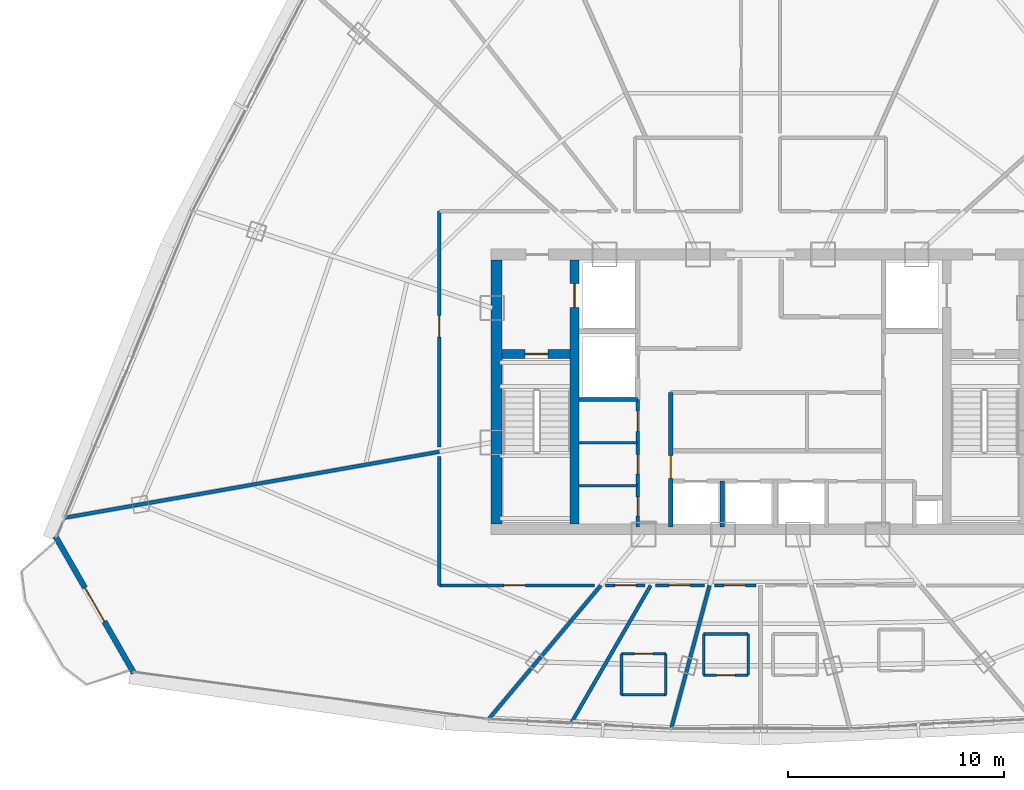
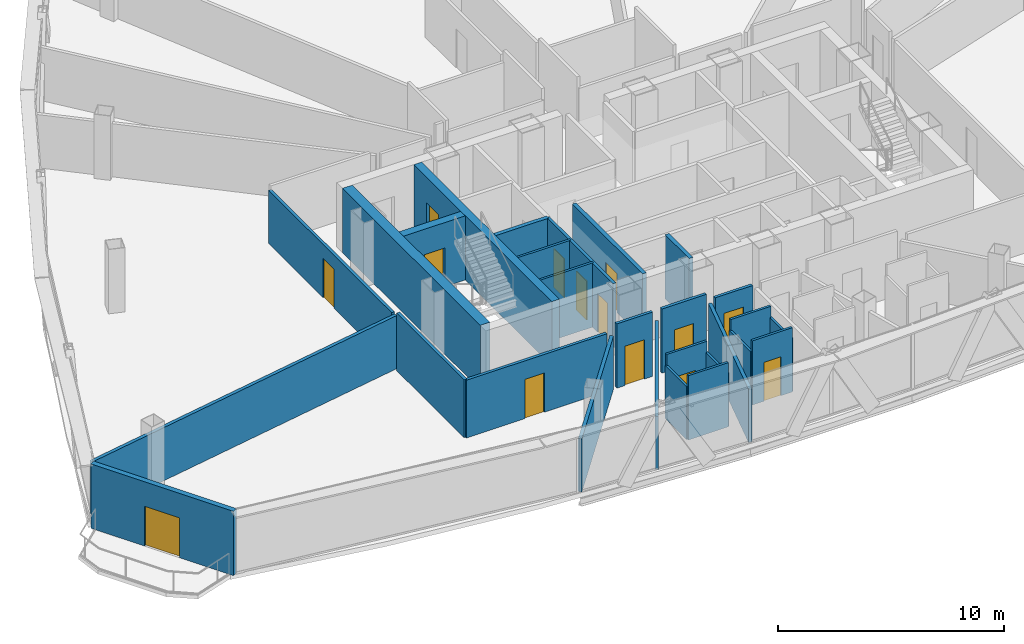
# One storey, part 31 of 37: 28 walls, 14 doors, 14 openings.
"""IFC4 building model written with IfcOpenShell, lengths in metres."""

from ifc_helpers import new_model, si_unit, direction, frame, frame_2d, origin, origin_with_axes, place, context, subcontext, project, spatial, rectangle, extrude, source, transform, mapped, material, layer, layer_set, type_object, element, fill, save


model = new_model("IFC4")

# Units and contexts
model_context = context("Model", 3, precision=1e-05, world=origin(), true_north=direction((0.0, 1.0)))
body_context = subcontext(model_context, "Body", "Model", "MODEL_VIEW")
ifc_project = project(units=[si_unit("LENGTHUNIT", "METRE"), si_unit("AREAUNIT", "SQUARE_METRE"), si_unit("VOLUMEUNIT", "CUBIC_METRE"), si_unit("PLANEANGLEUNIT", "RADIAN"), si_unit("MASSUNIT", "GRAM", prefix="KILO"), si_unit("THERMODYNAMICTEMPERATUREUNIT", "KELVIN"), si_unit("POWERUNIT", "WATT")], contexts=[model_context])

# Site, building, storey
site_placement = place(None, origin())
site = spatial("IfcSite", under=ifc_project, at=site_placement, CompositionType="ELEMENT")
building_placement = place(site_placement, origin())
building = spatial("IfcBuilding", under=site, at=building_placement, Name="Yunzhuo Pagoda Commons", CompositionType="ELEMENT")
storey_placement = place(building_placement, frame((0.0, 0.0, 277.56005859375)))
storey = spatial("IfcBuildingStorey", under=building, at=storey_placement, Name="L69", CompositionType="ELEMENT", Elevation=277.56005859375)

# Wall, opening, door
ifc_material_1 = material(Name="Precast concrete C40", Category="concrete")
ifc_layer_1 = layer(ifc_material_1, 0.260009765625)
ifc_layer_set_1 = layer_set([ifc_layer_1], Name="Precast concrete C40")
wall_type_1 = type_object("IfcWallType", Name="W-BAL1 Corner Balcony Threshold Wall 260", PredefinedType="STANDARD", material=ifc_layer_set_1)
wall_1_placement = place(storey_placement, frame((15.402099609375, 27.174072265625, 0.0), z_axis=(0.0, 0.0, 1.0), x_axis=(0.497929527106, -0.867217496385, 0.0)))
wall_1 = element("IfcWall", 1, at=wall_1_placement, inside=storey, type_object=wall_type_1, Name="L69 corner balcony wall V1", PredefinedType="STANDARD", context=body_context, shape_type="SweptSolid", body=[
    extrude(rectangle(XDim=7.29345703125, YDim=0.260009765625, at=frame_2d((3.646728515625, 0.0))), origin(), (0.0, 0.0, 1.0), 3.469970703125),
])
opening_1_placement = place(wall_1_placement, frame((2.74658203125, 0.0, 0.0)))
opening_1 = element("IfcOpeningElement", 2, at=opening_1_placement, cuts=wall_1, Name="Opening D-BAL1", PredefinedType="OPENING", context=body_context, shape_type="SweptSolid", body=[
    extrude(rectangle(XDim=1.800048828125, YDim=2.14990234375, at=frame_2d((0.89990234375, 1.074951171875))), frame((0.0, 0.14013671875, 0.0), z_axis=(0.0, -1.0, 0.0), x_axis=(1.0, 0.0, 0.0)), (0.0, 0.0, 1.0), 0.280029296875),
])
ifc_material_2 = material(Name="Anodized aluminium frame and tempered glazed leaf", Category="aluminium")
door_type_1 = type_object("IfcDoorType", Name="D-BAL1 Corner Balcony Sliding Glazed Door 1800x2150", OperationType="DOUBLE_DOOR_SLIDING", PredefinedType="DOOR", material=ifc_material_2)
shared_shape_1 = source(origin(), body_context, "Body", "SweptSolid", [
    extrude(rectangle(XDim=1.800048828125, YDim=2.14990234375, at=frame_2d((0.89990234375, 1.074951171875))), frame((0.0, 0.02490234375, 0.0), z_axis=(0.0, -1.0, 0.0), x_axis=(1.0, 0.0, 0.0)), (0.0, 0.0, 1.0), 0.050048828125),
])
door_1_placement = place(opening_1_placement, origin_with_axes())
door_1 = element("IfcDoor", 3, at=door_1_placement, inside=storey, type_object=door_type_1, Name="L69 corner balcony sliding door V1", OperationType="DOUBLE_DOOR_SLIDING", OverallHeight=2.14990234375, OverallWidth=1.800048828125, PredefinedType="DOOR", context=body_context, shape_type="MappedRepresentation", body=[
    mapped(shared_shape_1, transform((0.0, 0.0, 0.0), scale=1.0)),
])
fill(opening_1, door_1)

# Wall
ifc_material_3 = material(Name="Concrete C50", Category="concrete")
ifc_layer_2 = layer(ifc_material_3, 0.5)
ifc_layer_set_2 = layer_set([ifc_layer_2], Name="Concrete C50")
wall_type_2 = type_object("IfcWallType", Name="W-C03 Upper Core Shear Wall 500", PredefinedType="SHEAR", material=ifc_layer_set_2)
wall_2_placement = place(storey_placement, frame((35.800048828125, 27.75, 0.0), z_axis=(0.0, 0.0, 1.0), x_axis=(0.0, 1.0, 0.0)))
element("IfcWall", 4, at=wall_2_placement, inside=storey, type_object=wall_type_2, Name="L69 core shear wall W", PredefinedType="SHEAR", context=body_context, shape_type="SweptSolid", body=[
    extrude(rectangle(XDim=12.199951171875, YDim=0.5, at=frame_2d((6.10009765625, 0.0))), origin(), (0.0, 0.0, 1.0), 3.469970703125),
])

# Wall, openings, doors
ifc_material_4 = material(Name="Gypsum plasterboard on acoustic stud")
ifc_layer_3 = layer(ifc_material_4, 0.14990234375)
ifc_layer_set_3 = layer_set([ifc_layer_3], Name="Gypsum plasterboard on acoustic stud")
wall_type_3 = type_object("IfcWallType", Name="W-COR3 High-Zone Rated Corridor Wall 150", PredefinedType="PARTITIONING", material=ifc_layer_set_3)
wall_3_placement = place(storey_placement, frame((42.320068359375, 27.60009765625, 0.0), z_axis=(0.0, 0.0, 1.0), x_axis=(0.0, 1.0, 0.0)))
wall_3 = element("IfcWall", 5, at=wall_3_placement, inside=storey, type_object=wall_type_3, Name="L69 interior wall IW-L69-CSWE", PredefinedType="PARTITIONING", context=body_context, shape_type="SweptSolid", body=[
    extrude(rectangle(XDim=5.89990234375, YDim=0.14990234375, at=frame_2d((2.949951171875, 0.0))), origin(), (0.0, 0.0, 1.0), 3.469970703125),
])
opening_2_placement = place(wall_3_placement, frame((0.5, 0.0, 0.0)))
opening_2 = element("IfcOpeningElement", 6, at=opening_2_placement, cuts=wall_3, Name="Opening D-03", PredefinedType="OPENING", context=body_context, shape_type="SweptSolid", body=[
    extrude(rectangle(XDim=0.89990234375, YDim=2.10009765625, at=frame_2d((0.449951171875, 1.050048828125))), frame((0.0, 0.0849609375, 0.0), z_axis=(0.0, -1.0, 0.0), x_axis=(1.0, 0.0, 0.0)), (0.0, 0.0, 1.0), 0.169921875),
])
opening_3_placement = place(wall_3_placement, frame((2.449951171875, 0.0, 0.0)))
opening_3 = element("IfcOpeningElement", 7, at=opening_3_placement, cuts=wall_3, Name="Opening D-03", PredefinedType="OPENING", context=body_context, shape_type="SweptSolid", body=[
    extrude(rectangle(XDim=0.89990234375, YDim=2.10009765625, at=frame_2d((0.449951171875, 1.050048828125))), frame((0.0, 0.0849609375, 0.0), z_axis=(0.0, -1.0, 0.0), x_axis=(1.0, 0.0, 0.0)), (0.0, 0.0, 1.0), 0.169921875),
])
opening_4_placement = place(wall_3_placement, frame((4.419921875, 0.0, 0.0)))
opening_4 = element("IfcOpeningElement", 8, at=opening_4_placement, cuts=wall_3, Name="Opening D-11", PredefinedType="OPENING", context=body_context, shape_type="SweptSolid", body=[
    extrude(rectangle(XDim=0.93994140625, YDim=2.10009765625, at=frame_2d((0.469970703125, 1.050048828125))), frame((0.0, 0.0849609375, 0.0), z_axis=(0.0, -1.0, 0.0), x_axis=(1.0, 0.0, 0.0)), (0.0, 0.0, 1.0), 0.169921875),
])
ifc_material_5 = material(Name="Galvanized fire-resisting metal leaf")
door_type_2 = type_object("IfcDoorType", Name="D-03 Core Service Fire Door 900x2100", OperationType="NOTDEFINED", PredefinedType="DOOR", material=ifc_material_5)
shared_shape_2 = source(origin(), body_context, "Body", "SweptSolid", [
    extrude(rectangle(XDim=0.89990234375, YDim=2.10009765625, at=frame_2d((0.449951171875, 1.050048828125))), frame((0.0, 0.02490234375, 0.0), z_axis=(0.0, -1.0, 0.0), x_axis=(1.0, 0.0, 0.0)), (0.0, 0.0, 1.0), 0.050048828125),
])
door_2_placement = place(opening_2_placement, origin_with_axes())
door_2 = element("IfcDoor", 9, at=door_2_placement, inside=storey, type_object=door_type_2, Name="L69 switch door", OperationType="SINGLE_SWING_RIGHT", OverallHeight=2.10009765625, OverallWidth=0.89990234375, PredefinedType="DOOR", context=body_context, shape_type="MappedRepresentation", body=[
    mapped(shared_shape_2, transform((0.0, 0.0, 0.0), scale=1.0)),
])
fill(opening_2, door_2)
door_3_placement = place(opening_3_placement, origin_with_axes())
door_3 = element("IfcDoor", 10, at=door_3_placement, inside=storey, type_object=door_type_2, Name="L69 cleaner door", OperationType="SINGLE_SWING_RIGHT", OverallHeight=2.10009765625, OverallWidth=0.89990234375, PredefinedType="DOOR", context=body_context, shape_type="MappedRepresentation", body=[
    mapped(shared_shape_2, transform((0.0, 0.0, 0.0), scale=1.0)),
])
fill(opening_3, door_3)
door_type_3 = type_object("IfcDoorType", Name="D-11 Accessible Washroom Fire Door 940x2100", OperationType="NOTDEFINED", PredefinedType="DOOR", material=ifc_material_5)
shared_shape_3 = source(origin(), body_context, "Body", "SweptSolid", [
    extrude(rectangle(XDim=0.93994140625, YDim=2.10009765625, at=frame_2d((0.469970703125, 1.050048828125))), frame((0.0, 0.02490234375, 0.0), z_axis=(0.0, -1.0, 0.0), x_axis=(1.0, 0.0, 0.0)), (0.0, 0.0, 1.0), 0.050048828125),
])
door_4_placement = place(opening_4_placement, origin_with_axes())
door_4 = element("IfcDoor", 11, at=door_4_placement, inside=storey, type_object=door_type_3, Name="L69 core WC door", OperationType="SINGLE_SWING_LEFT", OverallHeight=2.10009765625, OverallWidth=0.93994140625, PredefinedType="DOOR", context=body_context, shape_type="MappedRepresentation", body=[
    mapped(shared_shape_3, transform((0.0, 0.0, 0.0), scale=1.0)),
])
fill(opening_4, door_4)

# Wall
wall_4_placement = place(storey_placement, frame((33.14990234375, 24.89990234375, 0.0), z_axis=(0.0, 0.0, 1.0), x_axis=(0.0, 1.0, 0.0)))
element("IfcWall", 12, at=wall_4_placement, inside=storey, type_object=wall_type_3, Name="L69 interior wall IW-L69-CWL01", PredefinedType="PARTITIONING", context=body_context, shape_type="SweptSolid", body=[
    extrude(rectangle(XDim=5.958251953125, YDim=0.14990234375, at=frame_2d((2.97900390625, 0.0))), origin(), (0.0, 0.0, 1.0), 3.119873046875),
])

# Wall, opening, door
wall_5_placement = place(storey_placement, frame((33.14990234375, 31.30126953125, 0.0), z_axis=(0.0, 0.0, 1.0), x_axis=(0.0, 1.0, 0.0)))
wall_5 = element("IfcWall", 13, at=wall_5_placement, inside=storey, type_object=wall_type_3, Name="L69 interior wall IW-L69-CWL02", PredefinedType="PARTITIONING", context=body_context, shape_type="SweptSolid", body=[
    extrude(rectangle(XDim=10.898681640625, YDim=0.14990234375, at=frame_2d((5.44921875, 0.0))), origin(), (0.0, 0.0, 1.0), 2.869873046875),
])
opening_5_placement = place(wall_5_placement, frame((5.094482421875, 0.0, 0.0)))
opening_5 = element("IfcOpeningElement", 14, at=opening_5_placement, cuts=wall_5, Name="Opening D-08", PredefinedType="OPENING", context=body_context, shape_type="SweptSolid", body=[
    extrude(rectangle(XDim=0.97998046875, YDim=2.1201171875, at=frame_2d((0.489990234375, 1.06005859375))), frame((0.0, 0.0849609375, 0.0), z_axis=(0.0, -1.0, 0.0), x_axis=(1.0, 0.0, 0.0)), (0.0, 0.0, 1.0), 0.169921875),
])
door_type_4 = type_object("IfcDoorType", Name="D-08 High-Zone Suite Entrance Fire Door 980x2120", OperationType="NOTDEFINED", PredefinedType="DOOR", material=ifc_material_5)
shared_shape_4 = source(origin(), body_context, "Body", "SweptSolid", [
    extrude(rectangle(XDim=0.97998046875, YDim=2.1201171875, at=frame_2d((0.489990234375, 1.06005859375))), frame((0.0, 0.02490234375, 0.0), z_axis=(0.0, -1.0, 0.0), x_axis=(1.0, 0.0, 0.0)), (0.0, 0.0, 1.0), 0.050048828125),
])
door_5_placement = place(opening_5_placement, origin_with_axes())
door_5 = element("IfcDoor", 15, at=door_5_placement, inside=storey, type_object=door_type_4, Name="L69 Shared Resident Kitchen and Pantry door", OperationType="SINGLE_SWING_LEFT", OverallHeight=2.1201171875, OverallWidth=0.97998046875, PredefinedType="DOOR", context=body_context, shape_type="MappedRepresentation", body=[
    mapped(shared_shape_4, transform((0.0, 0.0, 0.0), scale=1.0)),
])
fill(opening_5, door_5)

wall_6_placement = place(storey_placement, frame((47.780029296875, 24.89990234375, 0.0), z_axis=(0.0, 0.0, 1.0), x_axis=(-1.0, 0.0, 0.0)))
wall_6 = element("IfcWall", 16, at=wall_6_placement, inside=storey, type_object=wall_type_3, Name="L69 interior wall IW-L69-CWL17", PredefinedType="PARTITIONING", context=body_context, shape_type="SweptSolid", body=[
    extrude(rectangle(XDim=1.918212890625, YDim=0.14990234375, at=frame_2d((0.958984375, 0.0))), origin(), (0.0, 0.0, 1.0), 3.119873046875),
])
opening_6_placement = place(wall_6_placement, frame((0.48388671875, 0.0, 0.0)))
opening_6 = element("IfcOpeningElement", 17, at=opening_6_placement, cuts=wall_6, Name="Opening D-08", PredefinedType="OPENING", context=body_context, shape_type="SweptSolid", body=[
    extrude(rectangle(XDim=0.97998046875, YDim=2.1201171875, at=frame_2d((0.489990234375, 1.06005859375))), frame((0.0, 0.0849609375, 0.0), z_axis=(0.0, -1.0, 0.0), x_axis=(1.0, 0.0, 0.0)), (0.0, 0.0, 1.0), 0.169921875),
])
door_6_placement = place(opening_6_placement, origin_with_axes())
door_6 = element("IfcDoor", 18, at=door_6_placement, inside=storey, type_object=door_type_4, Name="L69 unit 11 entrance door", OperationType="SINGLE_SWING_LEFT", OverallHeight=2.1201171875, OverallWidth=0.97998046875, PredefinedType="DOOR", context=body_context, shape_type="MappedRepresentation", body=[
    mapped(shared_shape_4, transform((0.0, 0.0, 0.0), scale=1.0)),
])
fill(opening_6, door_6)

wall_7_placement = place(storey_placement, frame((45.414306640625, 24.89990234375, 0.0), z_axis=(0.0, 0.0, 1.0), x_axis=(-1.0, 0.0, 0.0)))
wall_7 = element("IfcWall", 19, at=wall_7_placement, inside=storey, type_object=wall_type_3, Name="L69 interior wall IW-L69-CWL18", PredefinedType="PARTITIONING", context=body_context, shape_type="SweptSolid", body=[
    extrude(rectangle(XDim=2.275146484375, YDim=0.14990234375, at=frame_2d((1.1376953125, 0.0))), origin(), (0.0, 0.0, 1.0), 3.469970703125),
])
opening_7_placement = place(wall_7_placement, frame((0.658447265625, 0.0, 0.0)))
opening_7 = element("IfcOpeningElement", 20, at=opening_7_placement, cuts=wall_7, Name="Opening D-08", PredefinedType="OPENING", context=body_context, shape_type="SweptSolid", body=[
    extrude(rectangle(XDim=0.97998046875, YDim=2.1201171875, at=frame_2d((0.489990234375, 1.06005859375))), frame((0.0, 0.0849609375, 0.0), z_axis=(0.0, -1.0, 0.0), x_axis=(1.0, 0.0, 0.0)), (0.0, 0.0, 1.0), 0.169921875),
])
door_7_placement = place(opening_7_placement, origin_with_axes())
door_7 = element("IfcDoor", 21, at=door_7_placement, inside=storey, type_object=door_type_4, Name="L69 unit 10 entrance door", OperationType="SINGLE_SWING_RIGHT", OverallHeight=2.1201171875, OverallWidth=0.97998046875, PredefinedType="DOOR", context=body_context, shape_type="MappedRepresentation", body=[
    mapped(shared_shape_4, transform((0.0, 0.0, 0.0), scale=1.0)),
])
fill(opening_7, door_7)

wall_8_placement = place(storey_placement, frame((42.665283203125, 24.89990234375, 0.0), z_axis=(0.0, 0.0, 1.0), x_axis=(-1.0, 0.0, 0.0)))
wall_8 = element("IfcWall", 22, at=wall_8_placement, inside=storey, type_object=wall_type_3, Name="L69 interior wall IW-L69-CWL19", PredefinedType="PARTITIONING", context=body_context, shape_type="SweptSolid", body=[
    extrude(rectangle(XDim=1.82958984375, YDim=0.14990234375, at=frame_2d((0.914794921875, 0.0))), origin(), (0.0, 0.0, 1.0), 3.469970703125),
])
opening_8_placement = place(wall_8_placement, frame((0.422607421875, 0.0, 0.0)))
opening_8 = element("IfcOpeningElement", 23, at=opening_8_placement, cuts=wall_8, Name="Opening D-08", PredefinedType="OPENING", context=body_context, shape_type="SweptSolid", body=[
    extrude(rectangle(XDim=0.97998046875, YDim=2.1201171875, at=frame_2d((0.489990234375, 1.06005859375))), frame((0.0, 0.0849609375, 0.0), z_axis=(0.0, -1.0, 0.0), x_axis=(1.0, 0.0, 0.0)), (0.0, 0.0, 1.0), 0.169921875),
])
door_8_placement = place(opening_8_placement, origin_with_axes())
door_8 = element("IfcDoor", 24, at=door_8_placement, inside=storey, type_object=door_type_4, Name="L69 unit 09 entrance door", OperationType="SINGLE_SWING_LEFT", OverallHeight=2.1201171875, OverallWidth=0.97998046875, PredefinedType="DOOR", context=body_context, shape_type="MappedRepresentation", body=[
    mapped(shared_shape_4, transform((0.0, 0.0, 0.0), scale=1.0)),
])
fill(opening_8, door_8)

wall_9_placement = place(storey_placement, frame((40.32861328125, 24.89990234375, 0.0), z_axis=(0.0, 0.0, 1.0), x_axis=(-1.0, 0.0, 0.0)))
wall_9 = element("IfcWall", 25, at=wall_9_placement, inside=storey, type_object=wall_type_3, Name="L69 interior wall IW-L69-CWL20", PredefinedType="PARTITIONING", context=body_context, shape_type="SweptSolid", body=[
    extrude(rectangle(XDim=7.1787109375, YDim=0.14990234375, at=frame_2d((3.58935546875, 0.0))), origin(), (0.0, 0.0, 1.0), 3.119873046875),
])
opening_9_placement = place(wall_9_placement, frame((3.20068359375, 0.0, 0.0)))
opening_9 = element("IfcOpeningElement", 26, at=opening_9_placement, cuts=wall_9, Name="Opening D-08", PredefinedType="OPENING", context=body_context, shape_type="SweptSolid", body=[
    extrude(rectangle(XDim=0.97998046875, YDim=2.1201171875, at=frame_2d((0.489990234375, 1.06005859375))), frame((0.0, 0.0849609375, 0.0), z_axis=(0.0, -1.0, 0.0), x_axis=(1.0, 0.0, 0.0)), (0.0, 0.0, 1.0), 0.169921875),
])
door_9_placement = place(opening_9_placement, origin_with_axes())
door_9 = element("IfcDoor", 27, at=door_9_placement, inside=storey, type_object=door_type_4, Name="L69 unit 08 entrance door", OperationType="SINGLE_SWING_RIGHT", OverallHeight=2.1201171875, OverallWidth=0.97998046875, PredefinedType="DOOR", context=body_context, shape_type="MappedRepresentation", body=[
    mapped(shared_shape_4, transform((0.0, 0.0, 0.0), scale=1.0)),
])
fill(opening_9, door_9)

# Walls
ifc_layer_4 = layer(ifc_material_4, 0.1201171875)
ifc_layer_set_4 = layer_set([ifc_layer_4], Name="Gypsum plasterboard on acoustic stud")
wall_type_4 = type_object("IfcWallType", Name="W-PRT1 Suite & Bathroom Partition 120", PredefinedType="PARTITIONING", material=ifc_layer_set_4)
for number, where, z_axis, x_axis, name in (
    (28, (39.60009765625, 29.5, 0.0), (0.0, 0.0, 1.0), (1.0, 0.0, 0.0), "L69 interior wall IW-L69-CC1"),
    (29, (39.60009765625, 31.5, 0.0), (0.0, 0.0, 1.0), (1.0, 0.0, 0.0), "L69 interior wall IW-L69-CC2"),
):
    element("IfcWall", number, at=place(storey_placement, frame(where, z_axis=z_axis, x_axis=x_axis)), inside=storey, type_object=wall_type_4, Name=name, PredefinedType="PARTITIONING", context=body_context, shape_type="SweptSolid", body=[
        extrude(rectangle(XDim=2.719970703125, YDim=0.1201171875, at=frame_2d((1.35986328125, 0.0))), origin(), (0.0, 0.0, 1.0), 3.469970703125),
    ])
wall_10_placement = place(storey_placement, frame((41.572998046875, 19.839111328125, 0.0), z_axis=(0.0, 0.0, 1.0), x_axis=(1.0, 0.0, 0.0)))
element("IfcWall", 30, at=wall_10_placement, inside=storey, type_object=wall_type_4, Name="L69 interior wall IW-L69-B10S", PredefinedType="PARTITIONING", context=body_context, shape_type="SweptSolid", body=[
    extrude(rectangle(XDim=2.050048828125, YDim=0.1201171875, at=frame_2d((1.02490234375, 0.0))), origin(), (0.0, 0.0, 1.0), 3.469970703125),
])
wall_11_placement = place(storey_placement, frame((43.623046875, 19.839111328125, 0.0), z_axis=(0.0, 0.0, 1.0), x_axis=(0.0, 1.0, 0.0)))
element("IfcWall", 31, at=wall_11_placement, inside=storey, type_object=wall_type_4, Name="L69 interior wall IW-L69-B10E", PredefinedType="PARTITIONING", context=body_context, shape_type="SweptSolid", body=[
    extrude(rectangle(XDim=1.89990234375, YDim=0.1201171875, at=frame_2d((0.949951171875, 0.0))), origin(), (0.0, 0.0, 1.0), 2.869873046875),
])

# Wall, opening, door
wall_12_placement = place(storey_placement, frame((43.623046875, 21.739013671875, 0.0), z_axis=(0.0, 0.0, 1.0), x_axis=(-1.0, 0.0, 0.0)))
wall_12 = element("IfcWall", 32, at=wall_12_placement, inside=storey, type_object=wall_type_4, Name="L69 interior wall IW-L69-B10N", PredefinedType="PARTITIONING", context=body_context, shape_type="SweptSolid", body=[
    extrude(rectangle(XDim=2.050048828125, YDim=0.1201171875, at=frame_2d((1.02490234375, 0.0))), origin(), (0.0, 0.0, 1.0), 3.469970703125),
])
opening_10_placement = place(wall_12_placement, frame((0.60009765625, 0.0, 0.0)))
opening_10 = element("IfcOpeningElement", 33, at=opening_10_placement, cuts=wall_12, Name="Opening D-05", PredefinedType="OPENING", context=body_context, shape_type="SweptSolid", body=[
    extrude(rectangle(XDim=0.85009765625, YDim=2.10009765625, at=frame_2d((0.425048828125, 1.050048828125))), frame((0.0, 0.070068359375, 0.0), z_axis=(0.0, -1.0, 0.0), x_axis=(1.0, 0.0, 0.0)), (0.0, 0.0, 1.0), 0.14013671875),
])
ifc_material_6 = material(Name="Powder-coated aluminium and timber acoustic leaf", Category="wood")
door_type_5 = type_object("IfcDoorType", Name="D-05 En-Suite Bathroom Door 850x2100", OperationType="NOTDEFINED", PredefinedType="DOOR", material=ifc_material_6)
shared_shape_5 = source(origin(), body_context, "Body", "SweptSolid", [
    extrude(rectangle(XDim=0.85009765625, YDim=2.10009765625, at=frame_2d((0.425048828125, 1.050048828125))), frame((0.0, 0.02490234375, 0.0), z_axis=(0.0, -1.0, 0.0), x_axis=(1.0, 0.0, 0.0)), (0.0, 0.0, 1.0), 0.050048828125),
])
door_10_placement = place(opening_10_placement, frame((0.85009765625, 0.0, 0.0), z_axis=(0.0, 0.0, 1.0), x_axis=(-1.0, 0.0, 0.0)))
door_10 = element("IfcDoor", 34, at=door_10_placement, inside=storey, type_object=door_type_5, Name="L69 unit 10 bathroom door", OperationType="SINGLE_SWING_RIGHT", OverallHeight=2.10009765625, OverallWidth=0.85009765625, PredefinedType="DOOR", context=body_context, shape_type="MappedRepresentation", body=[
    mapped(shared_shape_5, transform((0.0, 0.0, 0.0), scale=1.0)),
])
fill(opening_10, door_10)

# Wall
wall_13_placement = place(storey_placement, frame((41.572998046875, 21.739013671875, 0.0), z_axis=(0.0, 0.0, 1.0), x_axis=(0.0, -1.0, 0.0)))
element("IfcWall", 35, at=wall_13_placement, inside=storey, type_object=wall_type_4, Name="L69 interior wall IW-L69-B10W", PredefinedType="PARTITIONING", context=body_context, shape_type="SweptSolid", body=[
    extrude(rectangle(XDim=1.89990234375, YDim=0.1201171875, at=frame_2d((0.949951171875, 0.0))), origin(), (0.0, 0.0, 1.0), 2.869873046875),
])

# Wall, opening, door
wall_14_placement = place(storey_placement, frame((45.373046875, 20.758056640625, 0.0), z_axis=(0.0, 0.0, 1.0), x_axis=(1.0, 0.0, 0.0)))
wall_14 = element("IfcWall", 36, at=wall_14_placement, inside=storey, type_object=wall_type_4, Name="L69 interior wall IW-L69-B11S", PredefinedType="PARTITIONING", context=body_context, shape_type="SweptSolid", body=[
    extrude(rectangle(XDim=2.050048828125, YDim=0.1201171875, at=frame_2d((1.02490234375, 0.0))), origin(), (0.0, 0.0, 1.0), 3.469970703125),
])
opening_11_placement = place(wall_14_placement, frame((0.60009765625, 0.0, 0.0)))
opening_11 = element("IfcOpeningElement", 37, at=opening_11_placement, cuts=wall_14, Name="Opening D-05", PredefinedType="OPENING", context=body_context, shape_type="SweptSolid", body=[
    extrude(rectangle(XDim=0.85009765625, YDim=2.10009765625, at=frame_2d((0.425048828125, 1.050048828125))), frame((0.0, 0.070068359375, 0.0), z_axis=(0.0, -1.0, 0.0), x_axis=(1.0, 0.0, 0.0)), (0.0, 0.0, 1.0), 0.14013671875),
])
door_11_placement = place(opening_11_placement, frame((0.85009765625, 0.0, 0.0), z_axis=(0.0, 0.0, 1.0), x_axis=(-1.0, 0.0, 0.0)))
door_11 = element("IfcDoor", 38, at=door_11_placement, inside=storey, type_object=door_type_5, Name="L69 unit 11 bathroom door", OperationType="SINGLE_SWING_LEFT", OverallHeight=2.10009765625, OverallWidth=0.85009765625, PredefinedType="DOOR", context=body_context, shape_type="MappedRepresentation", body=[
    mapped(shared_shape_5, transform((0.0, 0.0, 0.0), scale=1.0)),
])
fill(opening_11, door_11)

# Walls
wall_15_placement = place(storey_placement, frame((47.423095703125, 20.758056640625, 0.0), z_axis=(0.0, 0.0, 1.0), x_axis=(0.0, 1.0, 0.0)))
element("IfcWall", 39, at=wall_15_placement, inside=storey, type_object=wall_type_4, Name="L69 interior wall IW-L69-B11E", PredefinedType="PARTITIONING", context=body_context, shape_type="SweptSolid", body=[
    extrude(rectangle(XDim=1.89990234375, YDim=0.1201171875, at=frame_2d((0.949951171875, 0.0))), origin(), (0.0, 0.0, 1.0), 2.869873046875),
])
wall_16_placement = place(storey_placement, frame((47.423095703125, 22.657958984375, 0.0), z_axis=(0.0, 0.0, 1.0), x_axis=(-1.0, 0.0, 0.0)))
element("IfcWall", 40, at=wall_16_placement, inside=storey, type_object=wall_type_4, Name="L69 interior wall IW-L69-B11N", PredefinedType="PARTITIONING", context=body_context, shape_type="SweptSolid", body=[
    extrude(rectangle(XDim=2.050048828125, YDim=0.1201171875, at=frame_2d((1.02490234375, 0.0))), origin(), (0.0, 0.0, 1.0), 3.469970703125),
])
wall_17_placement = place(storey_placement, frame((45.373046875, 22.657958984375, 0.0), z_axis=(0.0, 0.0, 1.0), x_axis=(0.0, -1.0, 0.0)))
element("IfcWall", 41, at=wall_17_placement, inside=storey, type_object=wall_type_4, Name="L69 interior wall IW-L69-B11W", PredefinedType="PARTITIONING", context=body_context, shape_type="SweptSolid", body=[
    extrude(rectangle(XDim=1.89990234375, YDim=0.1201171875, at=frame_2d((0.949951171875, 0.0))), origin(), (0.0, 0.0, 1.0), 2.869873046875),
])
ifc_layer_5 = layer(ifc_material_4, 0.169921875)
ifc_layer_set_5 = layer_set([ifc_layer_5], Name="Gypsum plasterboard on acoustic stud")
wall_type_5 = type_object("IfcWallType", Name="W-PRT4 High-Zone Demising Wall 170", PredefinedType="PARTITIONING", material=ifc_layer_set_5)
wall_18_placement = place(storey_placement, frame((33.14990234375, 31.08154296875, 0.0), z_axis=(0.0, 0.0, 1.0), x_axis=(-0.984807054696, -0.173652137966, 0.0)))
element("IfcWall", 42, at=wall_18_placement, inside=storey, type_object=wall_type_5, Name="L69 interior wall IW-L69-RAD08", PredefinedType="PARTITIONING", context=body_context, shape_type="SweptSolid", body=[
    extrude(rectangle(XDim=17.56689453125, YDim=0.169921875, at=frame_2d((8.783447265625, 0.0))), origin(), (0.0, 0.0, 1.0), 2.869873046875),
])
wall_19_placement = place(storey_placement, frame((40.615966796875, 24.89990234375, 0.0), z_axis=(0.0, 0.0, 1.0), x_axis=(-0.642788791497, -0.76604345146, 0.0)))
element("IfcWall", 43, at=wall_19_placement, inside=storey, type_object=wall_type_5, Name="L69 interior wall IW-L69-RAD09", PredefinedType="PARTITIONING", context=body_context, shape_type="SweptSolid", body=[
    extrude(rectangle(XDim=8.065673828125, YDim=0.169921875, at=frame_2d((4.03271484375, 0.0))), origin(), (0.0, 0.0, 1.0), 2.869873046875),
])
wall_20_placement = place(storey_placement, frame((42.919189453125, 24.89990234375, 0.0), z_axis=(0.0, 0.0, 1.0), x_axis=(-0.499992114976, -0.866029956157, 0.0)))
element("IfcWall", 44, at=wall_20_placement, inside=storey, type_object=wall_type_5, Name="L69 interior wall IW-L69-RAD10", PredefinedType="PARTITIONING", context=body_context, shape_type="SweptSolid", body=[
    extrude(rectangle(XDim=7.36669921875, YDim=0.169921875, at=frame_2d((3.683349609375, 0.0))), origin(), (0.0, 0.0, 1.0), 2.869873046875),
])
wall_21_placement = place(storey_placement, frame((45.64208984375, 24.89990234375, 0.0), z_axis=(0.0, 0.0, 1.0), x_axis=(-0.258825643191, -0.965924058312, 0.0)))
element("IfcWall", 45, at=wall_21_placement, inside=storey, type_object=wall_type_5, Name="L69 interior wall IW-L69-RAD11", PredefinedType="PARTITIONING", context=body_context, shape_type="SweptSolid", body=[
    extrude(rectangle(XDim=6.8583984375, YDim=0.169921875, at=frame_2d((3.42919921875, 0.0))), origin(), (0.0, 0.0, 1.0), 2.869873046875),
])

# Wall, opening, door
ifc_material_7 = material(Name="Concrete C60", Category="concrete")
ifc_layer_6 = layer(ifc_material_7, 0.39990234375)
ifc_layer_set_6 = layer_set([ifc_layer_6], Name="Concrete C60")
wall_type_6 = type_object("IfcWallType", Name="W-S01 Internal Core Shear Web 400", PredefinedType="SHEAR", material=ifc_layer_set_6)
wall_22_placement = place(storey_placement, frame((39.39990234375, 27.75, 0.0), z_axis=(0.0, 0.0, 1.0), x_axis=(0.0, 1.0, 0.0)))
wall_22 = element("IfcWall", 46, at=wall_22_placement, inside=storey, type_object=wall_type_6, Name="L69 core shear wall WEBW", PredefinedType="SHEAR", context=body_context, shape_type="SweptSolid", body=[
    extrude(rectangle(XDim=12.199951171875, YDim=0.39990234375, at=frame_2d((6.10009765625, 0.0))), origin(), (0.0, 0.0, 1.0), 3.469970703125),
])
opening_12_placement = place(wall_22_placement, frame((10.0, 0.0, 0.0)))
opening_12 = element("IfcOpeningElement", 47, at=opening_12_placement, cuts=wall_22, Name="Opening LD-01", PredefinedType="OPENING", context=body_context, shape_type="SweptSolid", body=[
    extrude(rectangle(XDim=1.10009765625, YDim=2.10009765625, at=frame_2d((0.550048828125, 1.050048828125))), frame((0.0, 0.2099609375, 0.0), z_axis=(0.0, -1.0, 0.0), x_axis=(1.0, 0.0, 0.0)), (0.0, 0.0, 1.0), 0.419921875),
])
door_type_6 = type_object("IfcDoorType", Name="LD-01 Firefighting Lift Landing Door 1100x2100", OperationType="DOUBLE_DOOR_SLIDING", PredefinedType="DOOR", material=ifc_material_5)
shared_shape_6 = source(origin(), body_context, "Body", "SweptSolid", [
    extrude(rectangle(XDim=1.10009765625, YDim=2.10009765625, at=frame_2d((0.550048828125, 1.050048828125))), frame((0.0, 0.02490234375, 0.0), z_axis=(0.0, -1.0, 0.0), x_axis=(1.0, 0.0, 0.0)), (0.0, 0.0, 1.0), 0.050048828125),
])
door_12_placement = place(opening_12_placement, frame((1.10009765625, 0.0, 0.0), z_axis=(0.0, 0.0, 1.0), x_axis=(-1.0, 0.0, 0.0)))
door_12 = element("IfcDoor", 48, at=door_12_placement, inside=storey, type_object=door_type_6, Name="L69 Firefighting lift FL-1 landing door", OperationType="DOUBLE_DOOR_SLIDING", OverallHeight=2.10009765625, OverallWidth=1.10009765625, PredefinedType="DOOR", context=body_context, shape_type="MappedRepresentation", body=[
    mapped(shared_shape_6, transform((0.0, 0.0, 0.0), scale=1.0)),
])
fill(opening_12, door_12)

wall_23_placement = place(storey_placement, frame((36.050048828125, 35.60009765625, 0.0), z_axis=(0.0, 0.0, 1.0), x_axis=(1.0, 0.0, 0.0)))
wall_23 = element("IfcWall", 49, at=wall_23_placement, inside=storey, type_object=wall_type_6, Name="L69 core shear wall STW", PredefinedType="SHEAR", context=body_context, shape_type="SweptSolid", body=[
    extrude(rectangle(XDim=3.14990234375, YDim=0.39990234375, at=frame_2d((1.574951171875, 0.0))), origin(), (0.0, 0.0, 1.0), 3.469970703125),
])
opening_13_placement = place(wall_23_placement, frame((1.070068359375, 0.0, 0.0)))
opening_13 = element("IfcOpeningElement", 50, at=opening_13_placement, cuts=wall_23, Name="Opening D-01", PredefinedType="OPENING", context=body_context, shape_type="SweptSolid", body=[
    extrude(rectangle(XDim=1.050048828125, YDim=2.10009765625, at=frame_2d((0.52490234375, 1.050048828125))), frame((0.0, 0.2099609375, 0.0), z_axis=(0.0, -1.0, 0.0), x_axis=(1.0, 0.0, 0.0)), (0.0, 0.0, 1.0), 0.419921875),
])
door_type_7 = type_object("IfcDoorType", Name="D-01 Smokeproof Stair Fire Door 1050x2100", OperationType="NOTDEFINED", PredefinedType="DOOR", material=ifc_material_5)
shared_shape_7 = source(origin(), body_context, "Body", "SweptSolid", [
    extrude(rectangle(XDim=1.050048828125, YDim=2.10009765625, at=frame_2d((0.52490234375, 1.050048828125))), frame((0.0, 0.02490234375, 0.0), z_axis=(0.0, -1.0, 0.0), x_axis=(1.0, 0.0, 0.0)), (0.0, 0.0, 1.0), 0.050048828125),
])
door_13_placement = place(opening_13_placement, frame((1.050048828125, 0.0, 0.0), z_axis=(0.0, 0.0, 1.0), x_axis=(-1.0, 0.0, 0.0)))
door_13 = element("IfcDoor", 51, at=door_13_placement, inside=storey, type_object=door_type_7, Name="L69 Stair ST1 fire door", OperationType="SINGLE_SWING_LEFT", OverallHeight=2.10009765625, OverallWidth=1.050048828125, PredefinedType="DOOR", context=body_context, shape_type="MappedRepresentation", body=[
    mapped(shared_shape_7, transform((0.0, 0.0, 0.0), scale=1.0)),
])
fill(opening_13, door_13)

# Wall
ifc_material_8 = material(Name="Concrete C40", Category="concrete")
ifc_layer_7 = layer(ifc_material_8, 0.199951171875)
ifc_layer_set_7 = layer_set([ifc_layer_7], Name="Concrete C40")
wall_type_7 = type_object("IfcWallType", Name="W-SHF Shaft & Stair Enclosure Wall 200", PredefinedType="SOLIDWALL", material=ifc_layer_set_7)
wall_24_placement = place(storey_placement, frame((39.60009765625, 33.5, 0.0), z_axis=(0.0, 0.0, 1.0), x_axis=(1.0, 0.0, 0.0)))
element("IfcWall", 52, at=wall_24_placement, inside=storey, type_object=wall_type_7, Name="L69 interior wall IW-L69-SL1S", PredefinedType="SOLIDWALL", context=body_context, shape_type="SweptSolid", body=[
    extrude(rectangle(XDim=2.719970703125, YDim=0.199951171875, at=frame_2d((1.35986328125, 0.0))), origin(), (0.0, 0.0, 1.0), 3.469970703125),
])

# Wall, opening, door
wall_25_placement = place(storey_placement, frame((43.85009765625, 27.60009765625, 0.0), z_axis=(0.0, 0.0, 1.0), x_axis=(0.0, 1.0, 0.0)))
wall_25 = element("IfcWall", 53, at=wall_25_placement, inside=storey, type_object=wall_type_7, Name="L69 interior wall IW-L69-PLMW", PredefinedType="SOLIDWALL", context=body_context, shape_type="SweptSolid", body=[
    extrude(rectangle(XDim=6.219970703125, YDim=0.199951171875, at=frame_2d((3.10986328125, 0.0))), origin(), (0.0, 0.0, 1.0), 3.469970703125),
])
opening_14_placement = place(wall_25_placement, frame((2.25, 0.0, 0.0)))
opening_14 = element("IfcOpeningElement", 54, at=opening_14_placement, cuts=wall_25, Name="Opening D-02", PredefinedType="OPENING", context=body_context, shape_type="SweptSolid", body=[
    extrude(rectangle(XDim=1.050048828125, YDim=2.10009765625, at=frame_2d((0.52490234375, 1.050048828125))), frame((0.0, 0.10986328125, 0.0), z_axis=(0.0, -1.0, 0.0), x_axis=(1.0, 0.0, 0.0)), (0.0, 0.0, 1.0), 0.219970703125),
])
door_type_8 = type_object("IfcDoorType", Name="D-02 Firefighting Lobby & Refuge Fire Door 1050x2100", OperationType="NOTDEFINED", PredefinedType="DOOR", material=ifc_material_5)
door_14_placement = place(opening_14_placement, frame((1.050048828125, 0.0, 0.0), z_axis=(0.0, 0.0, 1.0), x_axis=(-1.0, 0.0, 0.0)))
door_14 = element("IfcDoor", 55, at=door_14_placement, inside=storey, type_object=door_type_8, Name="L69 High-bank hall west door", OperationType="SINGLE_SWING_LEFT", OverallHeight=2.10009765625, OverallWidth=1.050048828125, PredefinedType="DOOR", context=body_context, shape_type="MappedRepresentation", body=[
    mapped(shared_shape_7, transform((0.0, 0.0, 0.0), scale=1.0)),
])
fill(opening_14, door_14)

# Wall
wall_26_placement = place(storey_placement, frame((46.22509765625, 27.60009765625, 0.0), z_axis=(0.0, 0.0, 1.0), x_axis=(0.0, 1.0, 0.0)))
element("IfcWall", 56, at=wall_26_placement, inside=storey, type_object=wall_type_7, Name="L69 interior wall IW-L69-PLHD1", PredefinedType="SOLIDWALL", context=body_context, shape_type="SweptSolid", body=[
    extrude(rectangle(XDim=2.119873046875, YDim=0.199951171875, at=frame_2d((1.06005859375, 0.0))), origin(), (0.0, 0.0, 1.0), 3.469970703125),
])

save(model, "model.ifc")
